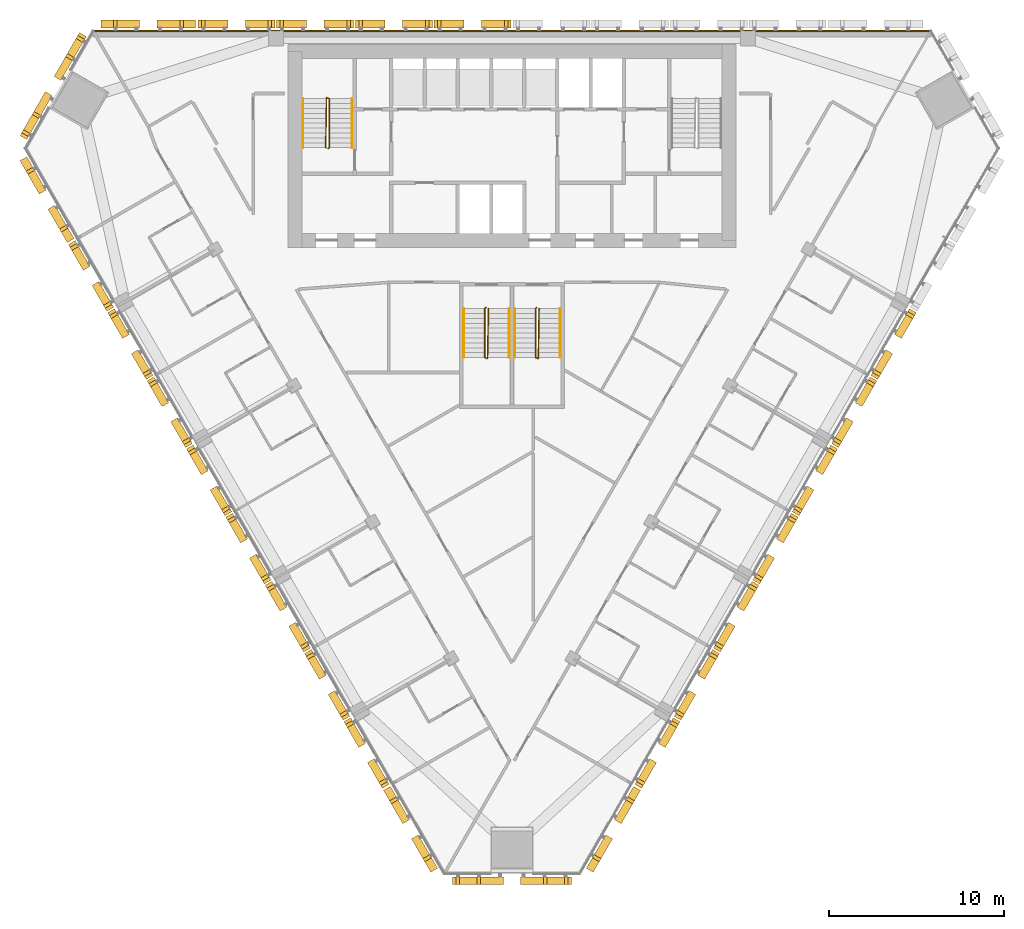
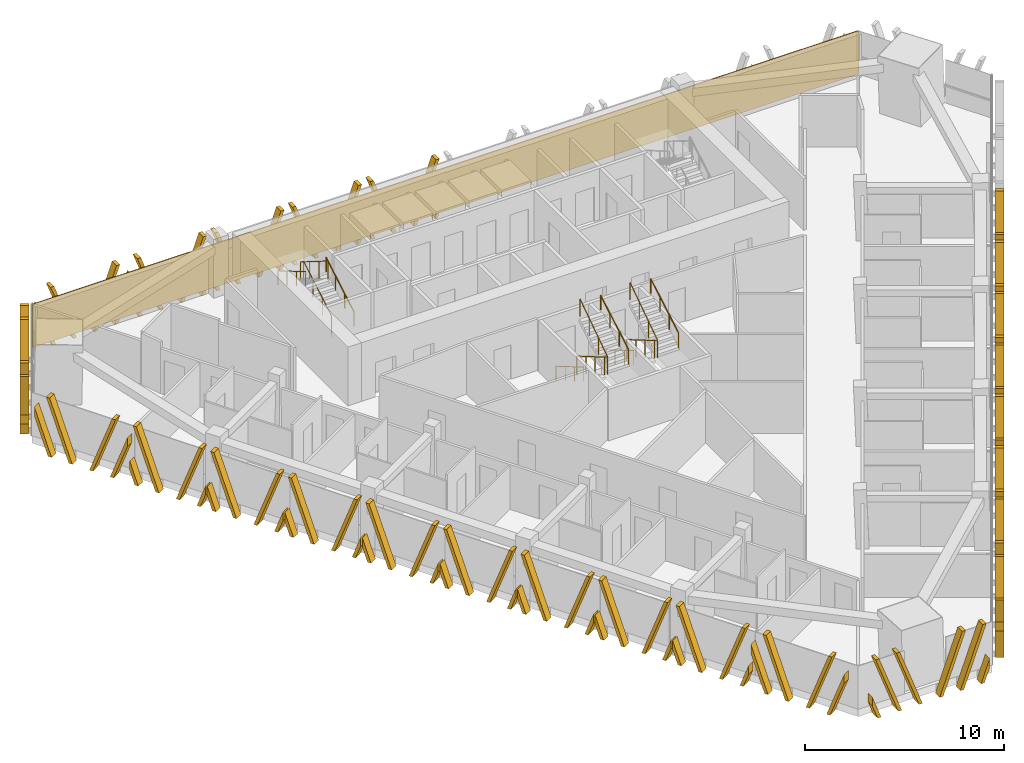
# One storey, part 14 of 16: 25 shading devices, 9 railings, 1 covering.
"""IFC4 building model written with IfcOpenShell, lengths in metres."""

import ifcopenshell
import ifcopenshell.guid

model = None  # the IFC model being written
_history = None  # IfcOwnerHistory: only IFC2X3 demands one
_inside = {}  # id of a spatial element -> (the spatial element, [elements in it])
_under = {}  # id of a project, library or spatial element -> (it, [spatial elements below it])
_declared = {}  # id of a project -> (the project, [libraries it declares])
_typed = {}  # id of a type object -> (the type object, [elements of that type])
_made_of = {}  # id of a material, layer set ... -> (it, [elements and type objects made of it])


def new_model(schema):
    """Start an empty IFC model of exactly this schema.

    Asked for "IFC4X3", IfcOpenShell would pick the latest addendum, in which some entities
    have other attributes; the version numbers below select the first issue.
    IFC2X3 requires an IfcOwnerHistory on every rooted entity: one is made here for all.
    """
    global model, _history
    if schema == "IFC4X3":
        model = ifcopenshell.file(schema_version=(4, 3, 0, 0))
    else:
        model = ifcopenshell.file(schema=schema)
    _inside.clear()
    _under.clear()
    _declared.clear()
    _typed.clear()
    _made_of.clear()
    _history = None
    if model.schema == "IFC2X3":
        org = make("IfcOrganization", Name="unknown")
        user = make(
            "IfcPersonAndOrganization",
            ThePerson=make("IfcPerson", FamilyName="unknown"),
            TheOrganization=org,
        )
        app = make(
            "IfcApplication",
            ApplicationDeveloper=org,
            Version="unknown",
            ApplicationFullName="unknown",
            ApplicationIdentifier="unknown",
        )
        _history = make(
            "IfcOwnerHistory",
            OwningUser=user,
            OwningApplication=app,
            ChangeAction="ADDED",
            CreationDate=0,
        )
    return model


def make(cls, **values):
    """One entity of the class cls with the attributes given. An attribute that is None is left unset."""
    return model.create_entity(
        cls, **{name: value for name, value in values.items() if value is not None}
    )


def rooted(cls, **values):
    """An entity with a GlobalId (a new one), such as an element, a storey or a relation."""
    return make(cls, GlobalId=ifcopenshell.guid.new(), OwnerHistory=_history, **values)


def si_unit(unit_type, name, prefix=None):
    """IfcSIUnit, for example si_unit("LENGTHUNIT", "METRE", prefix="MILLI")."""
    return make("IfcSIUnit", UnitType=unit_type, Prefix=prefix, Name=name)


def assignment(units):
    """IfcUnitAssignment: the units of a project."""
    return None if units is None else make("IfcUnitAssignment", Units=units)


def point(xyz):
    """IfcCartesianPoint."""
    return None if xyz is None else make("IfcCartesianPoint", Coordinates=xyz)


def direction(xyz):
    """IfcDirection."""
    return None if xyz is None else make("IfcDirection", DirectionRatios=xyz)


def frame(location, z_axis=None, x_axis=None):
    """IfcAxis2Placement3D, a coordinate frame: its origin and axes. An axis left out is left unset."""
    return make(
        "IfcAxis2Placement3D",
        Location=point(location),
        Axis=direction(z_axis),
        RefDirection=direction(x_axis),
    )


def frame_2d(location, x_axis=None):
    """IfcAxis2Placement2D, a coordinate frame in the plane: its origin and x axis."""
    return make(
        "IfcAxis2Placement2D", Location=point(location), RefDirection=direction(x_axis)
    )


def origin():
    """The frame at (0, 0, 0) with its axes left unset."""
    return frame((0.0, 0.0, 0.0))


def origin_2d():
    """The frame at (0, 0) in the plane with its x axis left unset."""
    return frame_2d((0.0, 0.0))


def place(relative_to, where):
    """IfcLocalPlacement: puts the frame where relative to a parent placement (None: the world)."""
    return make(
        "IfcLocalPlacement", PlacementRelTo=relative_to, RelativePlacement=where
    )


def context(
    kind, dimensions, precision=None, world=None, true_north=None, identifier=None
):
    """IfcGeometricRepresentationContext, for example the 3D "Model" context."""
    return make(
        "IfcGeometricRepresentationContext",
        ContextIdentifier=identifier,
        ContextType=kind,
        CoordinateSpaceDimension=dimensions,
        Precision=precision,
        WorldCoordinateSystem=world,
        TrueNorth=true_north,
    )


def subcontext(parent, identifier, kind, view, scale=None):
    """IfcGeometricRepresentationSubContext, for example "Body" below "Model"."""
    return make(
        "IfcGeometricRepresentationSubContext",
        ContextIdentifier=identifier,
        ContextType=kind,
        ParentContext=parent,
        TargetScale=scale,
        TargetView=view,
    )


def project(units=None, contexts=None):
    """IfcProject with its units and contexts."""
    return rooted(
        "IfcProject",
        Name="project",
        RepresentationContexts=contexts,
        UnitsInContext=assignment(units),
    )


def spatial(cls, under=None, at=None, **own):
    """A site, building, storey or space (cls), placed at a placement, below another one or the project."""
    s = rooted(cls, ObjectPlacement=at, **own)
    if under is not None:
        _under.setdefault(under.id(), (under, []))[1].append(s)
    return s


def polyline(points):
    """IfcPolyline through the points."""
    return make("IfcPolyline", Points=[point(p) for p in points])


def profile(cls, at=None, kind="AREA", **sizes):
    """A parametric profile (cls). Its sizes go by their IFC names, for example OverallWidth=200.0."""
    return make(cls, ProfileType=kind, Position=at, **sizes)


def rectangle(**sizes):
    """IfcRectangleProfileDef."""
    return profile("IfcRectangleProfileDef", **sizes)


def circle(**sizes):
    """IfcCircleProfileDef."""
    return profile("IfcCircleProfileDef", **sizes)


def outline(outer, holes=None, kind="AREA"):
    """IfcArbitraryClosedProfileDef: a profile drawn as a closed curve; with holes, ...WithVoids."""
    if holes is None:
        return make("IfcArbitraryClosedProfileDef", ProfileType=kind, OuterCurve=outer)
    return make(
        "IfcArbitraryProfileDefWithVoids",
        ProfileType=kind,
        OuterCurve=outer,
        InnerCurves=holes,
    )


def extrude(swept, where, along, depth):
    """IfcExtrudedAreaSolid: the profile swept, set in the frame where, extruded along a direction by depth."""
    return make(
        "IfcExtrudedAreaSolid",
        SweptArea=swept,
        Position=where,
        ExtrudedDirection=direction(along),
        Depth=depth,
    )


def shape(context_of_items, identifier, shape_type, items):
    """IfcShapeRepresentation: the items that make up one representation, for example the "Body"."""
    return make(
        "IfcShapeRepresentation",
        ContextOfItems=context_of_items,
        RepresentationIdentifier=identifier,
        RepresentationType=shape_type,
        Items=items,
    )


def source(mapping_origin, context_of_items, identifier, shape_type, items):
    """IfcRepresentationMap: a shape defined once, which mapped items show again and again."""
    return make(
        "IfcRepresentationMap",
        MappingOrigin=mapping_origin,
        MappedRepresentation=shape(context_of_items, identifier, shape_type, items),
    )


def transform(
    local_origin,
    x_axis=None,
    y_axis=None,
    z_axis=None,
    scale=None,
    scale2=None,
    scale3=None,
    uniform=True,
):
    """IfcCartesianTransformationOperator3D, or its non-uniform kind. x_axis, y_axis, z_axis: its Axis1, 2, 3."""
    if uniform:
        return make(
            "IfcCartesianTransformationOperator3D",
            Axis1=direction(x_axis),
            Axis2=direction(y_axis),
            LocalOrigin=point(local_origin),
            Scale=scale,
            Axis3=direction(z_axis),
        )
    return make(
        "IfcCartesianTransformationOperator3DnonUniform",
        Axis1=direction(x_axis),
        Axis2=direction(y_axis),
        LocalOrigin=point(local_origin),
        Scale=scale,
        Axis3=direction(z_axis),
        Scale2=scale2,
        Scale3=scale3,
    )


def mapped(mapping_source, mapping_target):
    """IfcMappedItem: shows the shape of a source again, moved by a transform."""
    return make(
        "IfcMappedItem", MappingSource=mapping_source, MappingTarget=mapping_target
    )


def material(Name=None, Category=None):
    """IfcMaterial."""
    return make("IfcMaterial", Name=Name, Category=Category)


def layer(
    of_material, thickness, ventilated=None, Name=None, Category=None, Priority=None
):
    """IfcMaterialLayer: one layer of a wall or slab, of a material (None: an air gap)."""
    return make(
        "IfcMaterialLayer",
        Material=of_material,
        LayerThickness=thickness,
        IsVentilated=ventilated,
        Name=Name,
        Category=Category,
        Priority=Priority,
    )


def layer_set(layers, Name=None):
    """IfcMaterialLayerSet."""
    return make("IfcMaterialLayerSet", MaterialLayers=layers, LayerSetName=Name)


def made_of(thing, what):
    """Note that an element or type object is made of a material, layer set ...; save() writes the relation."""
    if what is not None:
        _made_of.setdefault(what.id(), (what, []))[1].append(thing)
    return thing


def type_object(cls, material=None, **own):
    """A type object (cls), such as IfcWallType, which elements share."""
    return made_of(rooted(cls, **own), material)


def element(
    cls,
    number,
    at=None,
    inside=None,
    cuts=None,
    type_object=None,
    material=None,
    context=None,
    identifier="Body",
    shape_type=None,
    held_by="IfcProductDefinitionShape",
    body=None,
    shapes=None,
    **own,
):
    """One element of the class cls, such as IfcWall. Its Tag is "e" and its number.

    at: its placement. inside: the storey or other place that contains it. cuts: it is an
    opening in that element (IfcRelVoidsElement). A single representation is given by context,
    identifier, shape_type and body (its items); several are given by shapes. held_by: the class
    of the entity that holds the representations. save() writes the other relations.
    """
    e = rooted(cls, Tag="e%d" % number, ObjectPlacement=at, **own)
    if body is not None:
        shapes = [shape(context, identifier, shape_type, body)]
    if shapes is not None:
        e.Representation = make(held_by, Representations=shapes)
    if inside is not None:
        _inside.setdefault(inside.id(), (inside, []))[1].append(e)
    if cuts is not None:
        rooted(
            "IfcRelVoidsElement", RelatingBuildingElement=cuts, RelatedOpeningElement=e
        )
    if type_object is not None:
        _typed.setdefault(type_object.id(), (type_object, []))[1].append(e)
    return made_of(e, material)


def aggregate(whole, parts):
    """IfcRelAggregates: a whole, such as a stair, and the parts it consists of."""
    return rooted("IfcRelAggregates", RelatingObject=whole, RelatedObjects=parts)


def save(model, path):
    """Write the relations noted so far, then the file.

    IfcRelAggregates (storeys below a building ...), IfcRelContainedInSpatialStructure (elements
    in a storey), IfcRelDefinesByType, IfcRelAssociatesMaterial and IfcRelDeclares: one each for
    every whole, place, type object, material and project.
    """
    for whole, parts in _under.values():
        aggregate(whole, parts)
    for where, things in _inside.values():
        rooted(
            "IfcRelContainedInSpatialStructure",
            RelatedElements=things,
            RelatingStructure=where,
        )
    for kind, things in _typed.values():
        rooted("IfcRelDefinesByType", RelatedObjects=things, RelatingType=kind)
    for what, things in _made_of.values():
        rooted("IfcRelAssociatesMaterial", RelatedObjects=things, RelatingMaterial=what)
    for by, libraries in _declared.values():
        rooted("IfcRelDeclares", RelatingContext=by, RelatedDefinitions=libraries)
    model.write(path)


model = new_model("IFC4")

# Units and contexts
model_context = context("Model", 3, precision=1e-05, world=origin(), true_north=direction((0.0, 1.0)))
body_context = subcontext(model_context, "Body", "Model", "MODEL_VIEW")
ifc_project = project(units=[si_unit("LENGTHUNIT", "METRE"), si_unit("AREAUNIT", "SQUARE_METRE"), si_unit("VOLUMEUNIT", "CUBIC_METRE"), si_unit("PLANEANGLEUNIT", "RADIAN"), si_unit("MASSUNIT", "GRAM", prefix="KILO")], contexts=[model_context])

# Site, building, storey
site_placement = place(None, origin())
site = spatial("IfcSite", under=ifc_project, at=site_placement, CompositionType="ELEMENT")
building_placement = place(site_placement, origin())
building = spatial("IfcBuilding", under=site, at=building_placement, Name="Altiplano Prism Tower", CompositionType="ELEMENT")
storey_placement = place(building_placement, frame((0.0, 0.0, 131.39990234375)))
storey = spatial("IfcBuildingStorey", under=building, at=storey_placement, Name="L33", CompositionType="ELEMENT", Elevation=131.39990234375)

# Railings
ifc_material_1 = material(Name="Steel S355", Category="steel")
railing_type_1 = type_object("IfcRailingType", Name="Stair guard 1100", PredefinedType="GUARDRAIL", material=ifc_material_1)
railing_1_placement = place(storey_placement, frame((74.5, 98.25, 0.0)))
element("IfcRailing", 1, at=railing_1_placement, inside=storey, type_object=railing_type_1, Name="L33 ST1 stair guard 1", PredefinedType="GUARDRAIL", context=body_context, shape_type="SweptSolid", body=[
    extrude(circle(Radius=0.02392578125, at=origin_2d()), frame((0.0, 0.0, 1.076171875), z_axis=(0.280456126637, 0.280456126637, 0.917980785237), x_axis=(-0.707106781187, 0.707106781187, 0.0)), (0.0, 0.0, 1.0), 0.178466796875),
    extrude(circle(Radius=0.02392578125, at=origin_2d()), frame((0.050048828125, 0.050048828125, 1.23974609375), z_axis=(0.0, 0.863393664356, 0.504530851732), x_axis=(-1.0, 0.0, 0.0)), (0.0, 0.0, 1.0), 3.2431640625),
    extrude(circle(Radius=0.02392578125, at=origin_2d()), frame((0.050048828125, 2.85009765625, 2.8759765625), z_axis=(-0.949145278916, 0.314838433982, 0.0), x_axis=(-0.314838433982, -0.949145278916, 0.0)), (0.0, 0.0, 1.0), 0.158203125),
    extrude(circle(Radius=0.02392578125, at=origin_2d()), frame((-0.10009765625, 2.89990234375, 2.8759765625), z_axis=(-0.01477401265, -0.845377694409, 0.533964682676), x_axis=(0.999847325713, -0.01747355902, 0.0)), (0.0, 0.0, 1.0), 3.37109375),
    extrude(circle(Radius=0.02099609375, at=origin_2d()), origin(), (0.0, 0.0, 1.0), 1.052001953125),
    extrude(circle(Radius=0.02099609375, at=origin_2d()), frame((0.050048828125, 0.050048828125, 0.163818359375)), (0.0, 0.0, 1.0), 1.052001953125),
    extrude(circle(Radius=0.02099609375, at=origin_2d()), frame((0.050048828125, 0.9833984375, 0.709228515625)), (0.0, 0.0, 1.0), 1.052001953125),
    extrude(circle(Radius=0.02099609375, at=origin_2d()), frame((0.050048828125, 1.916748046875, 1.254638671875)), (0.0, 0.0, 1.0), 1.052001953125),
    extrude(circle(Radius=0.02099609375, at=origin_2d()), frame((0.050048828125, 2.85009765625, 1.800048828125)), (0.0, 0.0, 1.0), 1.052001953125),
    extrude(circle(Radius=0.02099609375, at=origin_2d()), frame((-0.10009765625, 2.89990234375, 1.800048828125)), (0.0, 0.0, 1.0), 1.052001953125),
    extrude(circle(Radius=0.02099609375, at=origin_2d()), frame((-0.11669921875, 1.949951171875, 2.400146484375)), (0.0, 0.0, 1.0), 1.052001953125),
    extrude(circle(Radius=0.02099609375, at=origin_2d()), frame((-0.13330078125, 1.0, 3.0)), (0.0, 0.0, 1.0), 1.052001953125),
    extrude(circle(Radius=0.02099609375, at=origin_2d()), frame((-0.14990234375, 0.050048828125, 3.60009765625)), (0.0, 0.0, 1.0), 1.052001953125),
])
railing_2_placement = place(storey_placement, frame((83.5, 89.14990234375, 0.0)))
element("IfcRailing", 2, at=railing_2_placement, inside=storey, type_object=railing_type_1, Name="L33 ST3A stair guard 1", PredefinedType="GUARDRAIL", context=body_context, shape_type="SweptSolid", body=[
    extrude(circle(Radius=0.02392578125, at=origin_2d()), frame((0.0, 0.0, 1.076171875), z_axis=(-0.280563532951, -0.279194930351, 0.91833234444), x_axis=(0.705375805398, -0.708833529934, 0.0)), (0.0, 0.0, 1.0), 0.178466796875),
    extrude(circle(Radius=0.02392578125, at=origin_2d()), frame((-0.050048828125, -0.0498046875, 1.23974609375), z_axis=(0.0, -0.863393664356, 0.504530851732), x_axis=(1.0, 0.0, 0.0)), (0.0, 0.0, 1.0), 3.2431640625),
    extrude(circle(Radius=0.02392578125, at=origin_2d()), frame((-0.050048828125, -2.849853515625, 2.8759765625), z_axis=(0.948683298051, -0.316227766017, 0.0), x_axis=(0.316227766017, 0.948683298051, 0.0)), (0.0, 0.0, 1.0), 0.158203125),
    extrude(circle(Radius=0.02392578125, at=origin_2d()), frame((0.10009765625, -2.89990234375, 2.8759765625), z_axis=(0.014773108175, 0.84539835705, 0.533931993021), x_axis=(-0.999847351862, 0.017472062685, 0.0)), (0.0, 0.0, 1.0), 3.371337890625),
    extrude(circle(Radius=0.02099609375, at=origin_2d()), origin(), (0.0, 0.0, 1.0), 1.052001953125),
    extrude(circle(Radius=0.02099609375, at=origin_2d()), frame((-0.050048828125, -0.0498046875, 0.163818359375)), (0.0, 0.0, 1.0), 1.052001953125),
    extrude(circle(Radius=0.02099609375, at=origin_2d()), frame((-0.050048828125, -0.983154296875, 0.709228515625)), (0.0, 0.0, 1.0), 1.052001953125),
    extrude(circle(Radius=0.02099609375, at=origin_2d()), frame((-0.050048828125, -1.91650390625, 1.254638671875)), (0.0, 0.0, 1.0), 1.052001953125),
    extrude(circle(Radius=0.02099609375, at=origin_2d()), frame((-0.050048828125, -2.849853515625, 1.800048828125)), (0.0, 0.0, 1.0), 1.052001953125),
    extrude(circle(Radius=0.02099609375, at=origin_2d()), frame((0.10009765625, -2.89990234375, 1.800048828125)), (0.0, 0.0, 1.0), 1.052001953125),
    extrude(circle(Radius=0.02099609375, at=origin_2d()), frame((0.11669921875, -1.949951171875, 2.400146484375)), (0.0, 0.0, 1.0), 1.052001953125),
    extrude(circle(Radius=0.02099609375, at=origin_2d()), frame((0.13330078125, -0.999755859375, 3.0)), (0.0, 0.0, 1.0), 1.052001953125),
    extrude(circle(Radius=0.02099609375, at=origin_2d()), frame((0.14990234375, -0.0498046875, 3.60009765625)), (0.0, 0.0, 1.0), 1.052001953125),
])
railing_3_placement = place(storey_placement, frame((86.39990234375, 89.14990234375, 0.0)))
element("IfcRailing", 3, at=railing_3_placement, inside=storey, type_object=railing_type_1, Name="L33 ST3B stair guard 1", PredefinedType="GUARDRAIL", context=body_context, shape_type="SweptSolid", body=[
    extrude(circle(Radius=0.02392578125, at=origin_2d()), frame((0.0, 0.0, 1.076171875), z_axis=(-0.279301935624, -0.279301935624, 0.918684307863), x_axis=(0.707106781187, -0.707106781187, 0.0)), (0.0, 0.0, 1.0), 0.17822265625),
    extrude(circle(Radius=0.02392578125, at=origin_2d()), frame((-0.0498046875, -0.0498046875, 1.23974609375), z_axis=(0.0, -0.863393664356, 0.504530851732), x_axis=(1.0, 0.0, 0.0)), (0.0, 0.0, 1.0), 3.2431640625),
    extrude(circle(Radius=0.02392578125, at=origin_2d()), frame((-0.0498046875, -2.849853515625, 2.8759765625), z_axis=(0.948528701346, -0.316691178788, 0.0), x_axis=(0.316691178788, 0.948528701346, 0.0)), (0.0, 0.0, 1.0), 0.157958984375),
    extrude(circle(Radius=0.02392578125, at=origin_2d()), frame((0.10009765625, -2.89990234375, 2.8759765625), z_axis=(0.014845509451, 0.845397450405, 0.533931420407), x_axis=(-0.999845851991, 0.017557683712, 0.0)), (0.0, 0.0, 1.0), 3.371337890625),
    extrude(circle(Radius=0.02099609375, at=origin_2d()), origin(), (0.0, 0.0, 1.0), 1.052001953125),
    extrude(circle(Radius=0.02099609375, at=origin_2d()), frame((-0.0498046875, -0.0498046875, 0.163818359375)), (0.0, 0.0, 1.0), 1.052001953125),
    extrude(circle(Radius=0.02099609375, at=origin_2d()), frame((-0.0498046875, -0.983154296875, 0.709228515625)), (0.0, 0.0, 1.0), 1.052001953125),
    extrude(circle(Radius=0.02099609375, at=origin_2d()), frame((-0.0498046875, -1.91650390625, 1.254638671875)), (0.0, 0.0, 1.0), 1.052001953125),
    extrude(circle(Radius=0.02099609375, at=origin_2d()), frame((-0.0498046875, -2.849853515625, 1.800048828125)), (0.0, 0.0, 1.0), 1.052001953125),
    extrude(circle(Radius=0.02099609375, at=origin_2d()), frame((0.10009765625, -2.89990234375, 1.800048828125)), (0.0, 0.0, 1.0), 1.052001953125),
    extrude(circle(Radius=0.02099609375, at=origin_2d()), frame((0.11669921875, -1.949951171875, 2.400146484375)), (0.0, 0.0, 1.0), 1.052001953125),
    extrude(circle(Radius=0.02099609375, at=origin_2d()), frame((0.133544921875, -0.999755859375, 3.0)), (0.0, 0.0, 1.0), 1.052001953125),
    extrude(circle(Radius=0.02099609375, at=origin_2d()), frame((0.150146484375, -0.0498046875, 3.60009765625)), (0.0, 0.0, 1.0), 1.052001953125),
])
railing_type_2 = type_object("IfcRailingType", Name="Stair handrail 900", PredefinedType="HANDRAIL", material=ifc_material_1)
railing_4_placement = place(storey_placement, frame((75.85009765625, 98.300048828125, 0.163818359375)))
element("IfcRailing", 4, at=railing_4_placement, inside=storey, type_object=railing_type_2, Name="L33 ST1 stair handrail 1", PredefinedType="HANDRAIL", context=body_context, shape_type="SweptSolid", body=[
    extrude(circle(Radius=0.02392578125, at=origin_2d()), frame((0.0, 0.0, 0.8759765625), z_axis=(0.0, 0.863393664356, 0.504530851732), x_axis=(-1.0, 0.0, 0.0)), (0.0, 0.0, 1.0), 3.2431640625),
    extrude(circle(Radius=0.02099609375, at=origin_2d()), origin(), (0.0, 0.0, 1.0), 0.851806640625),
    extrude(circle(Radius=0.02099609375, at=origin_2d()), frame((0.0, 0.933349609375, 0.54541015625)), (0.0, 0.0, 1.0), 0.851806640625),
    extrude(circle(Radius=0.02099609375, at=origin_2d()), frame((0.0, 1.86669921875, 1.0908203125)), (0.0, 0.0, 1.0), 0.851806640625),
    extrude(circle(Radius=0.02099609375, at=origin_2d()), frame((0.0, 2.800048828125, 1.63623046875)), (0.0, 0.0, 1.0), 0.851806640625),
])
railing_5_placement = place(storey_placement, frame((73.050048828125, 101.10009765625, 1.963623046875)))
element("IfcRailing", 5, at=railing_5_placement, inside=storey, type_object=railing_type_2, Name="L33 ST1 stair handrail 2", PredefinedType="HANDRAIL", context=body_context, shape_type="SweptSolid", body=[
    extrude(circle(Radius=0.02392578125, at=origin_2d()), frame((0.0, 0.0, 0.8759765625), z_axis=(0.0, -0.863360870873, 0.504586966384), x_axis=(1.0, 0.0, 0.0)), (0.0, 0.0, 1.0), 3.2431640625),
    extrude(circle(Radius=0.02099609375, at=origin_2d()), origin(), (0.0, 0.0, 1.0), 0.851806640625),
    extrude(circle(Radius=0.02099609375, at=origin_2d()), frame((0.0, -0.933349609375, 0.54541015625)), (0.0, 0.0, 1.0), 0.851806640625),
    extrude(circle(Radius=0.02099609375, at=origin_2d()), frame((0.0, -1.86669921875, 1.091064453125)), (0.0, 0.0, 1.0), 0.851806640625),
    extrude(circle(Radius=0.02099609375, at=origin_2d()), frame((0.0, -2.800048828125, 1.636474609375)), (0.0, 0.0, 1.0), 0.851806640625),
])
railing_6_placement = place(storey_placement, frame((82.25, 89.10009765625, 0.163818359375)))
element("IfcRailing", 6, at=railing_6_placement, inside=storey, type_object=railing_type_2, Name="L33 ST3A stair handrail 1", PredefinedType="HANDRAIL", context=body_context, shape_type="SweptSolid", body=[
    extrude(circle(Radius=0.02392578125, at=origin_2d()), frame((0.0, 0.0, 0.8759765625), z_axis=(0.0, -0.863393664356, 0.504530851732), x_axis=(1.0, 0.0, 0.0)), (0.0, 0.0, 1.0), 3.2431640625),
    extrude(circle(Radius=0.02099609375, at=origin_2d()), origin(), (0.0, 0.0, 1.0), 0.851806640625),
    extrude(circle(Radius=0.02099609375, at=origin_2d()), frame((0.0, -0.933349609375, 0.54541015625)), (0.0, 0.0, 1.0), 0.851806640625),
    extrude(circle(Radius=0.02099609375, at=origin_2d()), frame((0.0, -1.86669921875, 1.0908203125)), (0.0, 0.0, 1.0), 0.851806640625),
    extrude(circle(Radius=0.02099609375, at=origin_2d()), frame((0.0, -2.800048828125, 1.63623046875)), (0.0, 0.0, 1.0), 0.851806640625),
])
railing_7_placement = place(storey_placement, frame((84.85009765625, 86.300048828125, 1.963623046875)))
element("IfcRailing", 7, at=railing_7_placement, inside=storey, type_object=railing_type_2, Name="L33 ST3A stair handrail 2", PredefinedType="HANDRAIL", context=body_context, shape_type="SweptSolid", body=[
    extrude(circle(Radius=0.02392578125, at=origin_2d()), frame((0.0, 0.0, 0.8759765625), z_axis=(0.0, 0.863360870873, 0.504586966384), x_axis=(-1.0, 0.0, 0.0)), (0.0, 0.0, 1.0), 3.2431640625),
    extrude(circle(Radius=0.02099609375, at=origin_2d()), origin(), (0.0, 0.0, 1.0), 0.851806640625),
    extrude(circle(Radius=0.02099609375, at=origin_2d()), frame((0.0, 0.933349609375, 0.54541015625)), (0.0, 0.0, 1.0), 0.851806640625),
    extrude(circle(Radius=0.02099609375, at=origin_2d()), frame((0.0, 1.86669921875, 1.091064453125)), (0.0, 0.0, 1.0), 0.851806640625),
    extrude(circle(Radius=0.02099609375, at=origin_2d()), frame((0.0, 2.800048828125, 1.636474609375)), (0.0, 0.0, 1.0), 0.851806640625),
])
railing_8_placement = place(storey_placement, frame((85.14990234375, 89.10009765625, 0.163818359375)))
element("IfcRailing", 8, at=railing_8_placement, inside=storey, type_object=railing_type_2, Name="L33 ST3B stair handrail 1", PredefinedType="HANDRAIL", context=body_context, shape_type="SweptSolid", body=[
    extrude(circle(Radius=0.02392578125, at=origin_2d()), frame((0.0, 0.0, 0.8759765625), z_axis=(0.0, -0.863393664356, 0.504530851732), x_axis=(1.0, 0.0, 0.0)), (0.0, 0.0, 1.0), 3.2431640625),
    extrude(circle(Radius=0.02099609375, at=origin_2d()), origin(), (0.0, 0.0, 1.0), 0.851806640625),
    extrude(circle(Radius=0.02099609375, at=origin_2d()), frame((0.0, -0.933349609375, 0.54541015625)), (0.0, 0.0, 1.0), 0.851806640625),
    extrude(circle(Radius=0.02099609375, at=origin_2d()), frame((0.0, -1.86669921875, 1.0908203125)), (0.0, 0.0, 1.0), 0.851806640625),
    extrude(circle(Radius=0.02099609375, at=origin_2d()), frame((0.0, -2.800048828125, 1.63623046875)), (0.0, 0.0, 1.0), 0.851806640625),
])
railing_9_placement = place(storey_placement, frame((87.75, 86.300048828125, 1.963623046875)))
element("IfcRailing", 9, at=railing_9_placement, inside=storey, type_object=railing_type_2, Name="L33 ST3B stair handrail 2", PredefinedType="HANDRAIL", context=body_context, shape_type="SweptSolid", body=[
    extrude(circle(Radius=0.02392578125, at=origin_2d()), frame((0.0, 0.0, 0.8759765625), z_axis=(0.0, 0.863360870873, 0.504586966384), x_axis=(-1.0, 0.0, 0.0)), (0.0, 0.0, 1.0), 3.2431640625),
    extrude(circle(Radius=0.02099609375, at=origin_2d()), origin(), (0.0, 0.0, 1.0), 0.851806640625),
    extrude(circle(Radius=0.02099609375, at=origin_2d()), frame((0.0, 0.933349609375, 0.54541015625)), (0.0, 0.0, 1.0), 0.851806640625),
    extrude(circle(Radius=0.02099609375, at=origin_2d()), frame((0.0, 1.86669921875, 1.091064453125)), (0.0, 0.0, 1.0), 0.851806640625),
    extrude(circle(Radius=0.02099609375, at=origin_2d()), frame((0.0, 2.800048828125, 1.636474609375)), (0.0, 0.0, 1.0), 0.851806640625),
])

# Covering
ifc_material_2 = material(Name="Warm limestone cast stone", Category="masonry")
ifc_layer = layer(ifc_material_2, 0.06005859375)
ifc_layer_set = layer_set([ifc_layer], Name="Warm limestone cast stone")
covering_type = type_object("IfcCoveringType", Name="Stone cladding 60", PredefinedType="CLADDING", material=ifc_layer_set)
covering_placement = place(storey_placement, frame((61.0341796875, 104.969970703125, 0.0), z_axis=(0.0, 0.0, 1.0), x_axis=(1.0, 0.0, 0.0)))
element("IfcCovering", 10, at=covering_placement, inside=storey, type_object=covering_type, Name="Stone cladding north face L33", PredefinedType="CLADDING", context=body_context, shape_type="SweptSolid", body=[
    extrude(rectangle(XDim=47.931640625, YDim=0.06005859375, at=frame_2d((23.9658203125, 0.0))), origin(), (0.0, 0.0, 1.0), 2.650146484375),
])

# Shading devices
shading_device_type_1 = type_object("IfcShadingDeviceType", Name="Stone fin panel, standard unit", PredefinedType="USERDEFINED", material=ifc_material_2)
shared_shape_1 = source(origin(), body_context, "Body", "SweptSolid", [
    extrude(outline(polyline([(-2.199951171875, 1.373779296875), (-2.199951171875, 0.82421875), (-1.89990234375, 0.0), (-1.699951171875, 0.0), (-2.199951171875, 1.373779296875)])), frame((0.0, -0.14990234375, 0.0), z_axis=(0.0, -1.0, 0.0), x_axis=(1.0, 0.0, 0.0)), (0.0, 0.0, 1.0), 0.4501953125),
    extrude(outline(polyline([(-2.01025390625, 3.60009765625), (-0.699951171875, 0.0), (-0.5, 0.0), (-1.810302734375, 3.60009765625), (-2.01025390625, 3.60009765625)])), frame((0.0, -0.14990234375, 0.0), z_axis=(0.0, -1.0, 0.0), x_axis=(1.0, 0.0, 0.0)), (0.0, 0.0, 1.0), 0.4501953125),
    extrude(outline(polyline([(1.810302734375, 3.60009765625), (0.5, 0.0), (0.699951171875, 0.0), (2.01025390625, 3.60009765625), (1.810302734375, 3.60009765625)])), frame((0.0, -0.14990234375, 0.0), z_axis=(0.0, -1.0, 0.0), x_axis=(1.0, 0.0, 0.0)), (0.0, 0.0, 1.0), 0.4501953125),
    extrude(outline(polyline([(2.199951171875, 0.82421875), (2.199951171875, 1.373779296875), (1.699951171875, 0.0), (1.89990234375, 0.0), (2.199951171875, 0.82421875)])), frame((0.0, -0.14990234375, 0.0), z_axis=(0.0, -1.0, 0.0), x_axis=(1.0, 0.0, 0.0)), (0.0, 0.0, 1.0), 0.4501953125),
])
shading_device_1_placement = place(storey_placement, origin())
element("IfcShadingDevice", 11, at=shading_device_1_placement, inside=storey, type_object=shading_device_type_1, Name="Fin L33 north face 6", ObjectType="FIN", PredefinedType="USERDEFINED", context=body_context, shape_type="MappedRepresentation", body=[
    mapped(shared_shape_1, transform((82.75, 105.0, -0.449951171875), x_axis=(-1.0, 0.0, 0.0), y_axis=(0.0, -1.0, 0.0), z_axis=(0.0, 0.0, 1.0))),
])
shading_device_2_placement = place(storey_placement, origin())
element("IfcShadingDevice", 12, at=shading_device_2_placement, inside=storey, type_object=shading_device_type_1, Name="Fin L33 north face 7", ObjectType="FIN", PredefinedType="USERDEFINED", context=body_context, shape_type="MappedRepresentation", body=[
    mapped(shared_shape_1, transform((78.25, 105.0, -0.449951171875), x_axis=(-1.0, 0.0, 0.0), y_axis=(0.0, -1.0, 0.0), z_axis=(0.0, 0.0, 1.0))),
])
shading_device_3_placement = place(storey_placement, origin())
element("IfcShadingDevice", 13, at=shading_device_3_placement, inside=storey, type_object=shading_device_type_1, Name="Fin L33 north face 8", ObjectType="FIN", PredefinedType="USERDEFINED", context=body_context, shape_type="MappedRepresentation", body=[
    mapped(shared_shape_1, transform((73.75, 105.0, -0.449951171875), x_axis=(-1.0, 0.0, 0.0), y_axis=(0.0, -1.0, 0.0), z_axis=(0.0, 0.0, 1.0))),
])
shading_device_4_placement = place(storey_placement, origin())
element("IfcShadingDevice", 14, at=shading_device_4_placement, inside=storey, type_object=shading_device_type_1, Name="Fin L33 north face 9", ObjectType="FIN", PredefinedType="USERDEFINED", context=body_context, shape_type="MappedRepresentation", body=[
    mapped(shared_shape_1, transform((69.25, 105.0, -0.449951171875), x_axis=(-1.0, 0.0, 0.0), y_axis=(0.0, -1.0, 0.0), z_axis=(0.0, 0.0, 1.0))),
])
shading_device_5_placement = place(storey_placement, origin())
element("IfcShadingDevice", 15, at=shading_device_5_placement, inside=storey, type_object=shading_device_type_1, Name="Fin L33 south-west face 2", ObjectType="FIN", PredefinedType="USERDEFINED", context=body_context, shape_type="MappedRepresentation", body=[
    mapped(shared_shape_1, transform((61.258056640625, 91.15771484375, -0.449951171875), x_axis=(0.50000000184, -0.866025402722, 0.0), y_axis=(0.866025402722, 0.50000000184, 0.0), z_axis=(0.0, 0.0, 1.0))),
])
shading_device_6_placement = place(storey_placement, origin())
element("IfcShadingDevice", 16, at=shading_device_6_placement, inside=storey, type_object=shading_device_type_1, Name="Fin L33 south-west face 3", ObjectType="FIN", PredefinedType="USERDEFINED", context=body_context, shape_type="MappedRepresentation", body=[
    mapped(shared_shape_1, transform((63.508056640625, 87.2607421875, -0.449951171875), x_axis=(0.50000000184, -0.866025402722, 0.0), y_axis=(0.866025402722, 0.50000000184, 0.0), z_axis=(0.0, 0.0, 1.0))),
])
shading_device_7_placement = place(storey_placement, origin())
element("IfcShadingDevice", 17, at=shading_device_7_placement, inside=storey, type_object=shading_device_type_1, Name="Fin L33 south-west face 4", ObjectType="FIN", PredefinedType="USERDEFINED", context=body_context, shape_type="MappedRepresentation", body=[
    mapped(shared_shape_1, transform((65.758056640625, 83.363525390625, -0.449951171875), x_axis=(0.50000000184, -0.866025402722, 0.0), y_axis=(0.866025402722, 0.50000000184, 0.0), z_axis=(0.0, 0.0, 1.0))),
])
shading_device_8_placement = place(storey_placement, origin())
element("IfcShadingDevice", 18, at=shading_device_8_placement, inside=storey, type_object=shading_device_type_1, Name="Fin L33 south-west face 5", ObjectType="FIN", PredefinedType="USERDEFINED", context=body_context, shape_type="MappedRepresentation", body=[
    mapped(shared_shape_1, transform((68.008056640625, 79.46630859375, -0.449951171875), x_axis=(0.50000000184, -0.866025402722, 0.0), y_axis=(0.866025402722, 0.50000000184, 0.0), z_axis=(0.0, 0.0, 1.0))),
])
shading_device_9_placement = place(storey_placement, origin())
element("IfcShadingDevice", 19, at=shading_device_9_placement, inside=storey, type_object=shading_device_type_1, Name="Fin L33 south-west face 6", ObjectType="FIN", PredefinedType="USERDEFINED", context=body_context, shape_type="MappedRepresentation", body=[
    mapped(shared_shape_1, transform((70.258056640625, 75.5693359375, -0.449951171875), x_axis=(0.50000000184, -0.866025402722, 0.0), y_axis=(0.866025402722, 0.50000000184, 0.0), z_axis=(0.0, 0.0, 1.0))),
])
shading_device_10_placement = place(storey_placement, origin())
element("IfcShadingDevice", 20, at=shading_device_10_placement, inside=storey, type_object=shading_device_type_1, Name="Fin L33 south-west face 7", ObjectType="FIN", PredefinedType="USERDEFINED", context=body_context, shape_type="MappedRepresentation", body=[
    mapped(shared_shape_1, transform((72.508056640625, 71.672119140625, -0.449951171875), x_axis=(0.50000000184, -0.866025402722, 0.0), y_axis=(0.866025402722, 0.50000000184, 0.0), z_axis=(0.0, 0.0, 1.0))),
])
shading_device_11_placement = place(storey_placement, origin())
element("IfcShadingDevice", 21, at=shading_device_11_placement, inside=storey, type_object=shading_device_type_1, Name="Fin L33 south-west face 8", ObjectType="FIN", PredefinedType="USERDEFINED", context=body_context, shape_type="MappedRepresentation", body=[
    mapped(shared_shape_1, transform((74.758056640625, 67.775146484375, -0.449951171875), x_axis=(0.50000000184, -0.866025402722, 0.0), y_axis=(0.866025402722, 0.50000000184, 0.0), z_axis=(0.0, 0.0, 1.0))),
])
shading_device_12_placement = place(storey_placement, origin())
element("IfcShadingDevice", 22, at=shading_device_12_placement, inside=storey, type_object=shading_device_type_1, Name="Fin L33 south-west face 9", ObjectType="FIN", PredefinedType="USERDEFINED", context=body_context, shape_type="MappedRepresentation", body=[
    mapped(shared_shape_1, transform((77.008056640625, 63.8779296875, -0.449951171875), x_axis=(0.50000000184, -0.866025402722, 0.0), y_axis=(0.866025402722, 0.50000000184, 0.0), z_axis=(0.0, 0.0, 1.0))),
])
shading_device_13_placement = place(storey_placement, origin())
element("IfcShadingDevice", 23, at=shading_device_13_placement, inside=storey, type_object=shading_device_type_1, Name="Fin L33 south-east face 2", ObjectType="FIN", PredefinedType="USERDEFINED", context=body_context, shape_type="MappedRepresentation", body=[
    mapped(shared_shape_1, transform((92.991943359375, 63.8779296875, -0.449951171875), x_axis=(0.50000000184, 0.866025402722, 0.0), y_axis=(-0.866025402722, 0.50000000184, 0.0), z_axis=(0.0, 0.0, 1.0))),
])
shading_device_14_placement = place(storey_placement, origin())
element("IfcShadingDevice", 24, at=shading_device_14_placement, inside=storey, type_object=shading_device_type_1, Name="Fin L33 south-east face 3", ObjectType="FIN", PredefinedType="USERDEFINED", context=body_context, shape_type="MappedRepresentation", body=[
    mapped(shared_shape_1, transform((95.241943359375, 67.775146484375, -0.449951171875), x_axis=(0.50000000184, 0.866025402722, 0.0), y_axis=(-0.866025402722, 0.50000000184, 0.0), z_axis=(0.0, 0.0, 1.0))),
])
shading_device_15_placement = place(storey_placement, origin())
element("IfcShadingDevice", 25, at=shading_device_15_placement, inside=storey, type_object=shading_device_type_1, Name="Fin L33 south-east face 4", ObjectType="FIN", PredefinedType="USERDEFINED", context=body_context, shape_type="MappedRepresentation", body=[
    mapped(shared_shape_1, transform((97.491943359375, 71.672119140625, -0.449951171875), x_axis=(0.50000000184, 0.866025402722, 0.0), y_axis=(-0.866025402722, 0.50000000184, 0.0), z_axis=(0.0, 0.0, 1.0))),
])
shading_device_16_placement = place(storey_placement, origin())
element("IfcShadingDevice", 26, at=shading_device_16_placement, inside=storey, type_object=shading_device_type_1, Name="Fin L33 south-east face 5", ObjectType="FIN", PredefinedType="USERDEFINED", context=body_context, shape_type="MappedRepresentation", body=[
    mapped(shared_shape_1, transform((99.741943359375, 75.5693359375, -0.449951171875), x_axis=(0.50000000184, 0.866025402722, 0.0), y_axis=(-0.866025402722, 0.50000000184, 0.0), z_axis=(0.0, 0.0, 1.0))),
])
shading_device_17_placement = place(storey_placement, origin())
element("IfcShadingDevice", 27, at=shading_device_17_placement, inside=storey, type_object=shading_device_type_1, Name="Fin L33 south-east face 6", ObjectType="FIN", PredefinedType="USERDEFINED", context=body_context, shape_type="MappedRepresentation", body=[
    mapped(shared_shape_1, transform((101.991943359375, 79.46630859375, -0.449951171875), x_axis=(0.50000000184, 0.866025402722, 0.0), y_axis=(-0.866025402722, 0.50000000184, 0.0), z_axis=(0.0, 0.0, 1.0))),
])
shading_device_18_placement = place(storey_placement, origin())
element("IfcShadingDevice", 28, at=shading_device_18_placement, inside=storey, type_object=shading_device_type_1, Name="Fin L33 south-east face 7", ObjectType="FIN", PredefinedType="USERDEFINED", context=body_context, shape_type="MappedRepresentation", body=[
    mapped(shared_shape_1, transform((104.241943359375, 83.363525390625, -0.449951171875), x_axis=(0.50000000184, 0.866025402722, 0.0), y_axis=(-0.866025402722, 0.50000000184, 0.0), z_axis=(0.0, 0.0, 1.0))),
])
shading_device_19_placement = place(storey_placement, origin())
element("IfcShadingDevice", 29, at=shading_device_19_placement, inside=storey, type_object=shading_device_type_1, Name="Fin L33 south-east face 8", ObjectType="FIN", PredefinedType="USERDEFINED", context=body_context, shape_type="MappedRepresentation", body=[
    mapped(shared_shape_1, transform((106.491943359375, 87.2607421875, -0.449951171875), x_axis=(0.50000000184, 0.866025402722, 0.0), y_axis=(-0.866025402722, 0.50000000184, 0.0), z_axis=(0.0, 0.0, 1.0))),
])
shading_device_type_2 = type_object("IfcShadingDeviceType", Name="Stone fin panel, wide closing bay", PredefinedType="USERDEFINED", material=ifc_material_2)
shared_shape_2 = source(origin(), body_context, "Body", "SweptSolid", [
    extrude(outline(polyline([(-2.699951171875, 2.74755859375), (-2.699951171875, 2.197998046875), (-1.89990234375, 0.0), (-1.699951171875, 0.0), (-2.699951171875, 2.74755859375)])), frame((0.0, -0.14990234375, 0.0), z_axis=(0.0, -1.0, 0.0), x_axis=(1.0, 0.0, 0.0)), (0.0, 0.0, 1.0), 0.4501953125),
    extrude(outline(polyline([(-2.01025390625, 3.60009765625), (-0.699951171875, 0.0), (-0.5, 0.0), (-1.810302734375, 3.60009765625), (-2.01025390625, 3.60009765625)])), frame((0.0, -0.14990234375, 0.0), z_axis=(0.0, -1.0, 0.0), x_axis=(1.0, 0.0, 0.0)), (0.0, 0.0, 1.0), 0.4501953125),
    extrude(outline(polyline([(1.810302734375, 3.60009765625), (0.5, 0.0), (0.699951171875, 0.0), (2.01025390625, 3.60009765625), (1.810302734375, 3.60009765625)])), frame((0.0, -0.14990234375, 0.0), z_axis=(0.0, -1.0, 0.0), x_axis=(1.0, 0.0, 0.0)), (0.0, 0.0, 1.0), 0.4501953125),
    extrude(outline(polyline([(2.699951171875, 2.197998046875), (2.699951171875, 2.74755859375), (1.699951171875, 0.0), (1.89990234375, 0.0), (2.699951171875, 2.197998046875)])), frame((0.0, -0.14990234375, 0.0), z_axis=(0.0, -1.0, 0.0), x_axis=(1.0, 0.0, 0.0)), (0.0, 0.0, 1.0), 0.4501953125),
])
shading_device_20_placement = place(storey_placement, origin())
element("IfcShadingDevice", 30, at=shading_device_20_placement, inside=storey, type_object=shading_device_type_2, Name="Fin L33 north face 10", ObjectType="FIN", PredefinedType="USERDEFINED", context=body_context, shape_type="MappedRepresentation", body=[
    mapped(shared_shape_2, transform((64.217041015625, 105.0, -0.449951171875), x_axis=(-1.0, 0.0, 0.0), y_axis=(0.0, -1.0, 0.0), z_axis=(0.0, 0.0, 1.0))),
])
shading_device_21_placement = place(storey_placement, origin())
element("IfcShadingDevice", 31, at=shading_device_21_placement, inside=storey, type_object=shading_device_type_2, Name="Fin L33 south-west face 1", ObjectType="FIN", PredefinedType="USERDEFINED", context=body_context, shape_type="MappedRepresentation", body=[
    mapped(shared_shape_2, transform((58.74169921875, 95.516357421875, -0.449951171875), x_axis=(0.50000000184, -0.866025402722, 0.0), y_axis=(0.866025402722, 0.50000000184, 0.0), z_axis=(0.0, 0.0, 1.0))),
])
shading_device_22_placement = place(storey_placement, origin())
element("IfcShadingDevice", 32, at=shading_device_22_placement, inside=storey, type_object=shading_device_type_2, Name="Fin L33 south-west face 10", ObjectType="FIN", PredefinedType="USERDEFINED", context=body_context, shape_type="MappedRepresentation", body=[
    mapped(shared_shape_2, transform((79.524658203125, 59.519287109375, -0.449951171875), x_axis=(0.50000000184, -0.866025402722, 0.0), y_axis=(0.866025402722, 0.50000000184, 0.0), z_axis=(0.0, 0.0, 1.0))),
])
shading_device_23_placement = place(storey_placement, origin())
element("IfcShadingDevice", 33, at=shading_device_23_placement, inside=storey, type_object=shading_device_type_2, Name="Fin L33 south-east face 1", ObjectType="FIN", PredefinedType="USERDEFINED", context=body_context, shape_type="MappedRepresentation", body=[
    mapped(shared_shape_2, transform((90.475341796875, 59.519287109375, -0.449951171875), x_axis=(0.50000000184, 0.866025402722, 0.0), y_axis=(-0.866025402722, 0.50000000184, 0.0), z_axis=(0.0, 0.0, 1.0))),
])
shading_device_type_3 = type_object("IfcShadingDeviceType", Name="Stone fin panel, chamfer unit", PredefinedType="USERDEFINED", material=ifc_material_2)
shared_shape_3 = source(origin(), body_context, "Body", "SweptSolid", [
    extrude(outline(polyline([(-3.39990234375, 1.373779296875), (-3.39990234375, 0.82421875), (-3.10009765625, 0.0), (-2.89990234375, 0.0), (-3.39990234375, 1.373779296875)])), frame((0.0, -0.14990234375, 0.0), z_axis=(0.0, -1.0, 0.0), x_axis=(1.0, 0.0, 0.0)), (0.0, 0.0, 1.0), 0.4501953125),
    extrude(outline(polyline([(-3.210205078125, 3.60009765625), (-1.89990234375, 0.0), (-1.699951171875, 0.0), (-3.01025390625, 3.60009765625), (-3.210205078125, 3.60009765625)])), frame((0.0, -0.14990234375, 0.0), z_axis=(0.0, -1.0, 0.0), x_axis=(1.0, 0.0, 0.0)), (0.0, 0.0, 1.0), 0.4501953125),
    extrude(outline(polyline([(-2.01025390625, 3.60009765625), (-0.699951171875, 0.0), (-0.5, 0.0), (-1.810302734375, 3.60009765625), (-2.01025390625, 3.60009765625)])), frame((0.0, -0.14990234375, 0.0), z_axis=(0.0, -1.0, 0.0), x_axis=(1.0, 0.0, 0.0)), (0.0, 0.0, 1.0), 0.4501953125),
    extrude(outline(polyline([(1.810302734375, 3.60009765625), (0.5, 0.0), (0.699951171875, 0.0), (2.01025390625, 3.60009765625), (1.810302734375, 3.60009765625)])), frame((0.0, -0.14990234375, 0.0), z_axis=(0.0, -1.0, 0.0), x_axis=(1.0, 0.0, 0.0)), (0.0, 0.0, 1.0), 0.4501953125),
    extrude(outline(polyline([(3.01025390625, 3.60009765625), (1.699951171875, 0.0), (1.89990234375, 0.0), (3.210205078125, 3.60009765625), (3.01025390625, 3.60009765625)])), frame((0.0, -0.14990234375, 0.0), z_axis=(0.0, -1.0, 0.0), x_axis=(1.0, 0.0, 0.0)), (0.0, 0.0, 1.0), 0.4501953125),
    extrude(outline(polyline([(3.39990234375, 0.82421875), (3.39990234375, 1.373779296875), (2.89990234375, 0.0), (3.10009765625, 0.0), (3.39990234375, 0.82421875)])), frame((0.0, -0.14990234375, 0.0), z_axis=(0.0, -1.0, 0.0), x_axis=(1.0, 0.0, 0.0)), (0.0, 0.0, 1.0), 0.4501953125),
])
shading_device_24_placement = place(storey_placement, origin())
element("IfcShadingDevice", 34, at=shading_device_24_placement, inside=storey, type_object=shading_device_type_3, Name="Fin L33 north-west chamfer 1", ObjectType="FIN", PredefinedType="USERDEFINED", context=body_context, shape_type="MappedRepresentation", body=[
    mapped(shared_shape_3, transform((59.09228515625, 101.636474609375, -0.449951171875), x_axis=(-0.50000000109, -0.866025403155, 0.0), y_axis=(0.866025403155, -0.50000000109, 0.0), z_axis=(0.0, 0.0, 1.0))),
])
shading_device_25_placement = place(storey_placement, origin())
element("IfcShadingDevice", 35, at=shading_device_25_placement, inside=storey, type_object=shading_device_type_3, Name="Fin L33 south chamfer 1", ObjectType="FIN", PredefinedType="USERDEFINED", context=body_context, shape_type="MappedRepresentation", body=[
    mapped(shared_shape_3, transform((85.0, 56.762939453125, -0.449951171875), x_axis=(1.0, 0.0, 0.0), y_axis=(0.0, 1.0, 0.0), z_axis=(0.0, 0.0, 1.0))),
])

save(model, "model.ifc")
